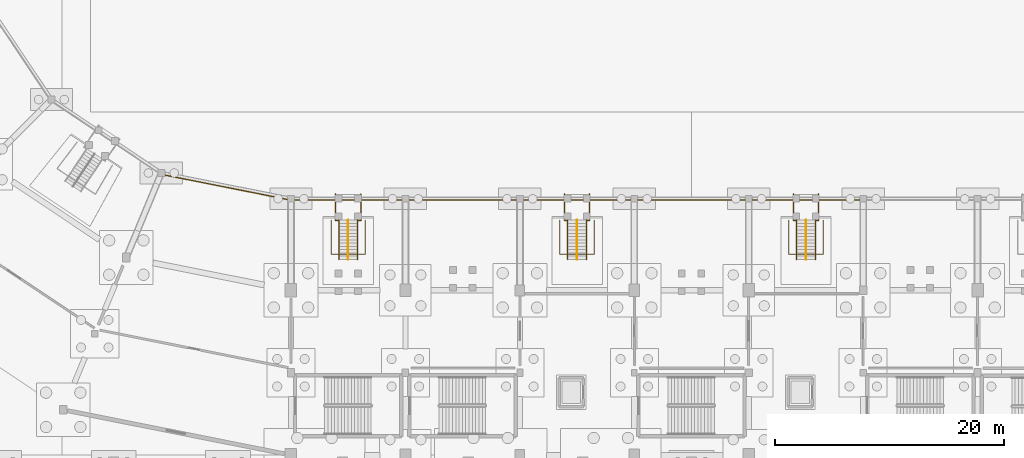
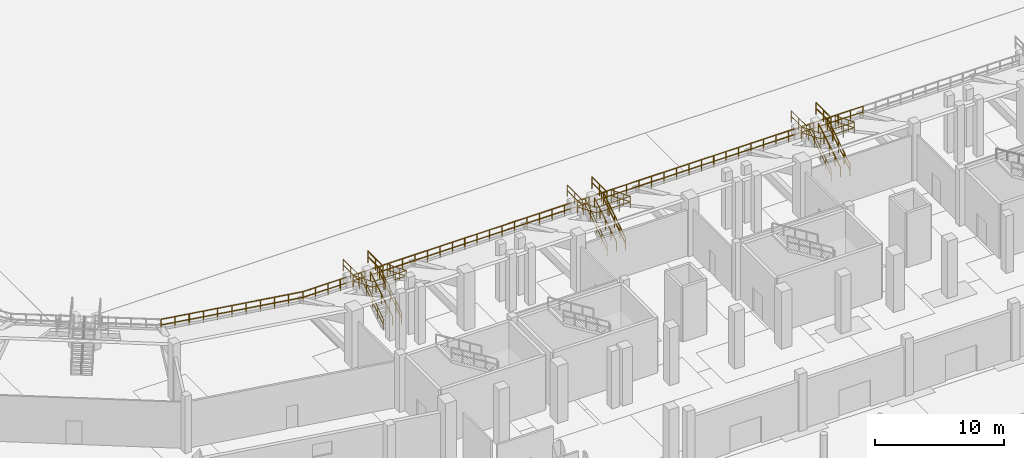
# One storey, part 51 of 68: 18 railings.
"""IFC4 building model written with IfcOpenShell, lengths in metres."""

from ifc_helpers import new_model, si_unit, direction, frame, origin, origin_2d, place, context, subcontext, project, spatial, circle, extrude, material, layer, layer_set, type_object, element, save


model = new_model("IFC4")

# Units and contexts
model_context = context("Model", 3, precision=1e-05, world=origin(), true_north=direction((0.0, 1.0)))
body_context = subcontext(model_context, "Body", "Model", "MODEL_VIEW")
ifc_project = project(units=[si_unit("LENGTHUNIT", "METRE"), si_unit("AREAUNIT", "SQUARE_METRE"), si_unit("VOLUMEUNIT", "CUBIC_METRE"), si_unit("PLANEANGLEUNIT", "RADIAN"), si_unit("MASSUNIT", "GRAM", prefix="KILO")], contexts=[model_context])

# Site, building, storey
site_placement = place(None, origin())
site = spatial("IfcSite", under=ifc_project, at=site_placement, CompositionType="ELEMENT")
building_placement = place(site_placement, origin())
building = spatial("IfcBuilding", under=site, at=building_placement, Name="Candeia Ridge Stadium", CompositionType="ELEMENT")
storey_placement = place(building_placement, origin())
storey = spatial("IfcBuildingStorey", under=building, at=storey_placement, Name="L00", CompositionType="ELEMENT", Elevation=0.0)

# Railings
ifc_material_1 = material(Name="Galvanized Powder-Coated Steel", Category="steel")
ifc_layer_1 = layer(ifc_material_1, 0.074951171875, Name="Galvanized Powder-Coated Steel", Category="steel")
ifc_layer_set_1 = layer_set([ifc_layer_1], Name="Galvanized Powder-Coated Steel")
railing_type_1 = type_object("IfcRailingType", Name="Spectator Bowl Front Guardrail 1120", PredefinedType="GUARDRAIL", material=ifc_layer_set_1)
railing_1_placement = place(storey_placement, frame((59.626708984375, 43.542236328125, 0.85009765625)))
element("IfcRailing", 1, at=railing_1_placement, inside=storey, type_object=railing_type_1, Name="Stand T1 front safety guardrail bay 18", PredefinedType="GUARDRAIL", context=body_context, shape_type="SweptSolid", body=[
    extrude(circle(Radius=0.02392578125, at=origin_2d()), frame((0.0, 0.0, 1.09619140625), z_axis=(0.980786620381, -0.19508358537, 0.0), x_axis=(0.19508358537, 0.980786620381, 0.0)), (0.0, 0.0, 1.0), 11.59619140625),
    extrude(circle(Radius=0.02392578125, at=origin_2d()), frame((0.0, 0.0, 0.56005859375), z_axis=(0.980786620381, -0.19508358537, 0.0), x_axis=(0.19508358537, 0.980786620381, 0.0)), (0.0, 0.0, 1.0), 11.59619140625),
    extrude(circle(Radius=0.02099609375, at=origin_2d()), origin(), (0.0, 0.0, 1.0), 1.072021484375),
    extrude(circle(Radius=0.02099609375, at=origin_2d()), frame((1.13720703125, -0.226318359375, 0.0)), (0.0, 0.0, 1.0), 1.072021484375),
    extrude(circle(Radius=0.02099609375, at=origin_2d()), frame((2.274658203125, -0.452392578125, 0.0)), (0.0, 0.0, 1.0), 1.072021484375),
    extrude(circle(Radius=0.02099609375, at=origin_2d()), frame((3.412109375, -0.6787109375, 0.0)), (0.0, 0.0, 1.0), 1.072021484375),
    extrude(circle(Radius=0.02099609375, at=origin_2d()), frame((4.54931640625, -0.90478515625, 0.0)), (0.0, 0.0, 1.0), 1.072021484375),
    extrude(circle(Radius=0.02099609375, at=origin_2d()), frame((5.6865234375, -1.131103515625, 0.0)), (0.0, 0.0, 1.0), 1.072021484375),
    extrude(circle(Radius=0.02099609375, at=origin_2d()), frame((6.823974609375, -1.357421875, 0.0)), (0.0, 0.0, 1.0), 1.072021484375),
    extrude(circle(Radius=0.02099609375, at=origin_2d()), frame((7.961181640625, -1.58349609375, 0.0)), (0.0, 0.0, 1.0), 1.072021484375),
    extrude(circle(Radius=0.02099609375, at=origin_2d()), frame((9.0986328125, -1.809814453125, 0.0)), (0.0, 0.0, 1.0), 1.072021484375),
    extrude(circle(Radius=0.02099609375, at=origin_2d()), frame((10.23583984375, -2.035888671875, 0.0)), (0.0, 0.0, 1.0), 1.072021484375),
    extrude(circle(Radius=0.02099609375, at=origin_2d()), frame((11.373291015625, -2.26220703125, 0.0)), (0.0, 0.0, 1.0), 1.072021484375),
])
for number, where, name in (
    (2, (71.0, 41.280029296875, 0.85009765625), "Stand T1 front safety guardrail bay 19"),
    (3, (81.0, 41.280029296875, 0.85009765625), "Stand T1 front safety guardrail bay 20"),
    (4, (91.0, 41.280029296875, 0.85009765625), "Stand T1 front safety guardrail bay 21"),
    (5, (101.0, 41.280029296875, 0.85009765625), "Stand T1 front safety guardrail bay 22"),
    (6, (111.0, 41.280029296875, 0.85009765625), "Stand T1 front safety guardrail bay 23"),
):
    element("IfcRailing", number, at=place(storey_placement, frame(where)), inside=storey, type_object=railing_type_1, Name=name, PredefinedType="GUARDRAIL", context=body_context, shape_type="SweptSolid", body=[
        extrude(circle(Radius=0.02392578125, at=origin_2d()), frame((0.0, 0.0, 1.09619140625), z_axis=(1.0, 0.0, 0.0), x_axis=(0.0, 1.0, 0.0)), (0.0, 0.0, 1.0), 10.0),
        extrude(circle(Radius=0.02392578125, at=origin_2d()), frame((0.0, 0.0, 0.56005859375), z_axis=(1.0, 0.0, 0.0), x_axis=(0.0, 1.0, 0.0)), (0.0, 0.0, 1.0), 10.0),
        extrude(circle(Radius=0.02099609375, at=origin_2d()), origin(), (0.0, 0.0, 1.0), 1.072021484375),
        extrude(circle(Radius=0.02099609375, at=origin_2d()), frame((1.111083984375, 0.0, 0.0)), (0.0, 0.0, 1.0), 1.072021484375),
        extrude(circle(Radius=0.02099609375, at=origin_2d()), frame((2.22216796875, 0.0, 0.0)), (0.0, 0.0, 1.0), 1.072021484375),
        extrude(circle(Radius=0.02099609375, at=origin_2d()), frame((3.333251953125, 0.0, 0.0)), (0.0, 0.0, 1.0), 1.072021484375),
        extrude(circle(Radius=0.02099609375, at=origin_2d()), frame((4.4443359375, 0.0, 0.0)), (0.0, 0.0, 1.0), 1.072021484375),
        extrude(circle(Radius=0.02099609375, at=origin_2d()), frame((5.5556640625, 0.0, 0.0)), (0.0, 0.0, 1.0), 1.072021484375),
        extrude(circle(Radius=0.02099609375, at=origin_2d()), frame((6.666748046875, 0.0, 0.0)), (0.0, 0.0, 1.0), 1.072021484375),
        extrude(circle(Radius=0.02099609375, at=origin_2d()), frame((7.77783203125, 0.0, 0.0)), (0.0, 0.0, 1.0), 1.072021484375),
        extrude(circle(Radius=0.02099609375, at=origin_2d()), frame((8.888916015625, 0.0, 0.0)), (0.0, 0.0, 1.0), 1.072021484375),
        extrude(circle(Radius=0.02099609375, at=origin_2d()), frame((10.0, 0.0, 0.0)), (0.0, 0.0, 1.0), 1.072021484375),
    ])
ifc_material_2 = material(Name="Brushed Stainless Steel", Category="steel")
ifc_layer_2 = layer(ifc_material_2, 0.048095703125, Name="Brushed Stainless Steel", Category="steel")
ifc_layer_set_2 = layer_set([ifc_layer_2], Name="Brushed Stainless Steel")
railing_type_2 = type_object("IfcRailingType", Name="Stair Wall & Flight Handrail 900", PredefinedType="HANDRAIL", material=ifc_layer_set_2)
for number, where, name in (
    (7, (76.0, 36.10791015625, 0.17236328125), "Vomitory stair handrail VS10"),
    (8, (96.0, 36.10791015625, 0.17236328125), "Vomitory stair handrail VS11"),
    (9, (116.0, 36.10791015625, 0.17236328125), "Vomitory stair handrail VS12"),
):
    element("IfcRailing", number, at=place(storey_placement, frame(where)), inside=storey, type_object=railing_type_2, Name=name, PredefinedType="HANDRAIL", context=body_context, shape_type="SweptSolid", body=[
        extrude(circle(Radius=0.02392578125, at=origin_2d()), frame((0.0, 0.0, 0.8759765625), z_axis=(0.0, 0.855774125036, 0.517349637014), x_axis=(-1.0, 0.0, 0.0)), (0.0, 0.0, 1.0), 3.99658203125),
        extrude(circle(Radius=0.02099609375, at=origin_2d()), origin(), (0.0, 0.0, 1.0), 0.851806640625),
        extrude(circle(Radius=0.02099609375, at=origin_2d()), frame((0.0, 0.85498046875, 0.516845703125)), (0.0, 0.0, 1.0), 0.851806640625),
        extrude(circle(Radius=0.02099609375, at=origin_2d()), frame((0.0, 1.7099609375, 1.03369140625)), (0.0, 0.0, 1.0), 0.851806640625),
        extrude(circle(Radius=0.02099609375, at=origin_2d()), frame((0.0, 2.565185546875, 1.55078125)), (0.0, 0.0, 1.0), 0.851806640625),
        extrude(circle(Radius=0.02099609375, at=origin_2d()), frame((0.0, 3.420166015625, 2.067626953125)), (0.0, 0.0, 1.0), 0.851806640625),
    ])
ifc_layer_3 = layer(ifc_material_1, 0.070068359375, Name="Galvanized Powder-Coated Steel", Category="steel")
ifc_layer_set_3 = layer_set([ifc_layer_3], Name="Galvanized Powder-Coated Steel")
railing_type_3 = type_object("IfcRailingType", Name="Vomitory Portal Guardrail 1100", PredefinedType="GUARDRAIL", material=ifc_layer_set_3)
railing_2_placement = place(storey_placement, frame((74.5, 39.528076171875, 2.239990234375)))
element("IfcRailing", 10, at=railing_2_placement, inside=storey, type_object=railing_type_3, Name="Vomitory portal guardrail VS10", PredefinedType="GUARDRAIL", context=body_context, shape_type="SweptSolid", body=[
    extrude(circle(Radius=0.02392578125, at=origin_2d()), frame((0.0, 0.0, 1.076171875), z_axis=(0.0, -0.92538053309, 0.379039402937), x_axis=(1.0, 0.0, 0.0)), (0.0, 0.0, 1.0), 3.203125),
    extrude(circle(Radius=0.02392578125, at=origin_2d()), frame((0.0, 0.0, 0.550048828125), z_axis=(0.0, -0.92538053309, 0.379039402937), x_axis=(1.0, 0.0, 0.0)), (0.0, 0.0, 1.0), 3.203125),
    extrude(circle(Radius=0.02392578125, at=origin_2d()), frame((0.0, -2.964111328125, 2.2900390625), z_axis=(1.0, 0.0, 0.0), x_axis=(0.0, 1.0, 0.0)), (0.0, 0.0, 1.0), 3.0),
    extrude(circle(Radius=0.02392578125, at=origin_2d()), frame((0.0, -2.964111328125, 1.76416015625), z_axis=(1.0, 0.0, 0.0), x_axis=(0.0, 1.0, 0.0)), (0.0, 0.0, 1.0), 3.0),
    extrude(circle(Radius=0.02392578125, at=origin_2d()), frame((3.0, -2.964111328125, 2.2900390625), z_axis=(0.0, 0.92538053309, -0.379039402937), x_axis=(-1.0, 0.0, 0.0)), (0.0, 0.0, 1.0), 3.203125),
    extrude(circle(Radius=0.02392578125, at=origin_2d()), frame((3.0, -2.964111328125, 1.76416015625), z_axis=(0.0, 0.92538053309, -0.379039402937), x_axis=(-1.0, 0.0, 0.0)), (0.0, 0.0, 1.0), 3.203125),
    extrude(circle(Radius=0.02099609375, at=origin_2d()), origin(), (0.0, 0.0, 1.0), 1.052001953125),
    extrude(circle(Radius=0.02099609375, at=origin_2d()), frame((0.0, -0.988037109375, 0.40478515625)), (0.0, 0.0, 1.0), 1.052001953125),
    extrude(circle(Radius=0.02099609375, at=origin_2d()), frame((0.0, -1.97607421875, 0.809326171875)), (0.0, 0.0, 1.0), 1.052001953125),
    extrude(circle(Radius=0.02099609375, at=origin_2d()), frame((0.0, -2.964111328125, 1.214111328125)), (0.0, 0.0, 1.0), 1.052001953125),
    extrude(circle(Radius=0.02099609375, at=origin_2d()), frame((1.0, -2.964111328125, 1.214111328125)), (0.0, 0.0, 1.0), 1.052001953125),
    extrude(circle(Radius=0.02099609375, at=origin_2d()), frame((2.0, -2.964111328125, 1.214111328125)), (0.0, 0.0, 1.0), 1.052001953125),
    extrude(circle(Radius=0.02099609375, at=origin_2d()), frame((3.0, -2.964111328125, 1.214111328125)), (0.0, 0.0, 1.0), 1.052001953125),
    extrude(circle(Radius=0.02099609375, at=origin_2d()), frame((3.0, -1.97607421875, 0.809326171875)), (0.0, 0.0, 1.0), 1.052001953125),
    extrude(circle(Radius=0.02099609375, at=origin_2d()), frame((3.0, -0.988037109375, 0.40478515625)), (0.0, 0.0, 1.0), 1.052001953125),
    extrude(circle(Radius=0.02099609375, at=origin_2d()), frame((3.0, 0.0, 0.0)), (0.0, 0.0, 1.0), 1.052001953125),
])
railing_3_placement = place(storey_placement, frame((75.179931640625, 36.10791015625, 0.0)))
element("IfcRailing", 11, at=railing_3_placement, inside=storey, type_object=railing_type_3, Name="Vomitory stair & landing side guardrail VS10-L", PredefinedType="GUARDRAIL", context=body_context, shape_type="SweptSolid", body=[
    extrude(circle(Radius=0.02392578125, at=origin_2d()), frame((0.0, 0.0, 1.076171875), z_axis=(0.0, 0.836551734384, 0.547887940822), x_axis=(-1.0, 0.0, 0.0)), (0.0, 0.0, 1.0), 4.08837890625),
    extrude(circle(Radius=0.02392578125, at=origin_2d()), frame((0.0, 0.0, 0.550048828125), z_axis=(0.0, 0.836551734384, 0.547887940822), x_axis=(-1.0, 0.0, 0.0)), (0.0, 0.0, 1.0), 4.08837890625),
    extrude(circle(Radius=0.02392578125, at=origin_2d()), frame((0.0, 3.420166015625, 3.31591796875), z_axis=(-0.989932225045, -0.141542183877, 0.0), x_axis=(0.141542183877, -0.989932225045, 0.0)), (0.0, 0.0, 1.0), 0.282958984375),
    extrude(circle(Radius=0.02392578125, at=origin_2d()), frame((0.0, 3.420166015625, 2.7900390625), z_axis=(-0.989932225045, -0.141542183877, 0.0), x_axis=(0.141542183877, -0.989932225045, 0.0)), (0.0, 0.0, 1.0), 0.282958984375),
    extrude(circle(Radius=0.02392578125, at=origin_2d()), frame((-0.280029296875, 3.380126953125, 3.31591796875), z_axis=(0.0, 1.0, 0.0), x_axis=(-1.0, 0.0, 0.0)), (0.0, 0.0, 1.0), 2.320068359375),
    extrude(circle(Radius=0.02392578125, at=origin_2d()), frame((-0.280029296875, 3.380126953125, 2.7900390625), z_axis=(0.0, 1.0, 0.0), x_axis=(-1.0, 0.0, 0.0)), (0.0, 0.0, 1.0), 2.320068359375),
    extrude(circle(Radius=0.02099609375, at=origin_2d()), origin(), (0.0, 0.0, 1.0), 1.052001953125),
    extrude(circle(Radius=0.02099609375, at=origin_2d()), frame((0.0, 0.85498046875, 0.56005859375)), (0.0, 0.0, 1.0), 1.052001953125),
    extrude(circle(Radius=0.02099609375, at=origin_2d()), frame((0.0, 1.7099609375, 1.1201171875)), (0.0, 0.0, 1.0), 1.052001953125),
    extrude(circle(Radius=0.02099609375, at=origin_2d()), frame((0.0, 2.565185546875, 1.679931640625)), (0.0, 0.0, 1.0), 1.052001953125),
    extrude(circle(Radius=0.02099609375, at=origin_2d()), frame((0.0, 3.420166015625, 2.239990234375)), (0.0, 0.0, 1.0), 1.052001953125),
    extrude(circle(Radius=0.02099609375, at=origin_2d()), frame((-0.280029296875, 3.380126953125, 2.239990234375)), (0.0, 0.0, 1.0), 1.052001953125),
    extrude(circle(Radius=0.02099609375, at=origin_2d()), frame((-0.280029296875, 4.5400390625, 2.239990234375)), (0.0, 0.0, 1.0), 1.052001953125),
    extrude(circle(Radius=0.02099609375, at=origin_2d()), frame((-0.280029296875, 5.7001953125, 2.239990234375)), (0.0, 0.0, 1.0), 1.052001953125),
])
railing_4_placement = place(storey_placement, frame((76.820068359375, 36.10791015625, 0.0)))
element("IfcRailing", 12, at=railing_4_placement, inside=storey, type_object=railing_type_3, Name="Vomitory stair & landing side guardrail VS10-R", PredefinedType="GUARDRAIL", context=body_context, shape_type="SweptSolid", body=[
    extrude(circle(Radius=0.02392578125, at=origin_2d()), frame((0.0, 0.0, 1.076171875), z_axis=(0.0, 0.836551734384, 0.547887940822), x_axis=(-1.0, 0.0, 0.0)), (0.0, 0.0, 1.0), 4.08837890625),
    extrude(circle(Radius=0.02392578125, at=origin_2d()), frame((0.0, 0.0, 0.550048828125), z_axis=(0.0, 0.836551734384, 0.547887940822), x_axis=(-1.0, 0.0, 0.0)), (0.0, 0.0, 1.0), 4.08837890625),
    extrude(circle(Radius=0.02392578125, at=origin_2d()), frame((0.0, 3.420166015625, 3.31591796875), z_axis=(0.989932225045, -0.141542183877, 0.0), x_axis=(0.141542183877, 0.989932225045, 0.0)), (0.0, 0.0, 1.0), 0.282958984375),
    extrude(circle(Radius=0.02392578125, at=origin_2d()), frame((0.0, 3.420166015625, 2.7900390625), z_axis=(0.989932225045, -0.141542183877, 0.0), x_axis=(0.141542183877, 0.989932225045, 0.0)), (0.0, 0.0, 1.0), 0.282958984375),
    extrude(circle(Radius=0.02392578125, at=origin_2d()), frame((0.280029296875, 3.380126953125, 3.31591796875), z_axis=(0.0, 1.0, 0.0), x_axis=(-1.0, 0.0, 0.0)), (0.0, 0.0, 1.0), 2.320068359375),
    extrude(circle(Radius=0.02392578125, at=origin_2d()), frame((0.280029296875, 3.380126953125, 2.7900390625), z_axis=(0.0, 1.0, 0.0), x_axis=(-1.0, 0.0, 0.0)), (0.0, 0.0, 1.0), 2.320068359375),
    extrude(circle(Radius=0.02099609375, at=origin_2d()), origin(), (0.0, 0.0, 1.0), 1.052001953125),
    extrude(circle(Radius=0.02099609375, at=origin_2d()), frame((0.0, 0.85498046875, 0.56005859375)), (0.0, 0.0, 1.0), 1.052001953125),
    extrude(circle(Radius=0.02099609375, at=origin_2d()), frame((0.0, 1.7099609375, 1.1201171875)), (0.0, 0.0, 1.0), 1.052001953125),
    extrude(circle(Radius=0.02099609375, at=origin_2d()), frame((0.0, 2.565185546875, 1.679931640625)), (0.0, 0.0, 1.0), 1.052001953125),
    extrude(circle(Radius=0.02099609375, at=origin_2d()), frame((0.0, 3.420166015625, 2.239990234375)), (0.0, 0.0, 1.0), 1.052001953125),
    extrude(circle(Radius=0.02099609375, at=origin_2d()), frame((0.280029296875, 3.380126953125, 2.239990234375)), (0.0, 0.0, 1.0), 1.052001953125),
    extrude(circle(Radius=0.02099609375, at=origin_2d()), frame((0.280029296875, 4.5400390625, 2.239990234375)), (0.0, 0.0, 1.0), 1.052001953125),
    extrude(circle(Radius=0.02099609375, at=origin_2d()), frame((0.280029296875, 5.7001953125, 2.239990234375)), (0.0, 0.0, 1.0), 1.052001953125),
])
railing_5_placement = place(storey_placement, frame((94.5, 39.528076171875, 2.239990234375)))
element("IfcRailing", 13, at=railing_5_placement, inside=storey, type_object=railing_type_3, Name="Vomitory portal guardrail VS11", PredefinedType="GUARDRAIL", context=body_context, shape_type="SweptSolid", body=[
    extrude(circle(Radius=0.02392578125, at=origin_2d()), frame((0.0, 0.0, 1.076171875), z_axis=(0.0, -0.92538053309, 0.379039402937), x_axis=(1.0, 0.0, 0.0)), (0.0, 0.0, 1.0), 3.203125),
    extrude(circle(Radius=0.02392578125, at=origin_2d()), frame((0.0, 0.0, 0.550048828125), z_axis=(0.0, -0.92538053309, 0.379039402937), x_axis=(1.0, 0.0, 0.0)), (0.0, 0.0, 1.0), 3.203125),
    extrude(circle(Radius=0.02392578125, at=origin_2d()), frame((0.0, -2.964111328125, 2.2900390625), z_axis=(1.0, 0.0, 0.0), x_axis=(0.0, 1.0, 0.0)), (0.0, 0.0, 1.0), 3.0),
    extrude(circle(Radius=0.02392578125, at=origin_2d()), frame((0.0, -2.964111328125, 1.76416015625), z_axis=(1.0, 0.0, 0.0), x_axis=(0.0, 1.0, 0.0)), (0.0, 0.0, 1.0), 3.0),
    extrude(circle(Radius=0.02392578125, at=origin_2d()), frame((3.0, -2.964111328125, 2.2900390625), z_axis=(0.0, 0.92538053309, -0.379039402937), x_axis=(-1.0, 0.0, 0.0)), (0.0, 0.0, 1.0), 3.203125),
    extrude(circle(Radius=0.02392578125, at=origin_2d()), frame((3.0, -2.964111328125, 1.76416015625), z_axis=(0.0, 0.92538053309, -0.379039402937), x_axis=(-1.0, 0.0, 0.0)), (0.0, 0.0, 1.0), 3.203125),
    extrude(circle(Radius=0.02099609375, at=origin_2d()), origin(), (0.0, 0.0, 1.0), 1.052001953125),
    extrude(circle(Radius=0.02099609375, at=origin_2d()), frame((0.0, -0.988037109375, 0.40478515625)), (0.0, 0.0, 1.0), 1.052001953125),
    extrude(circle(Radius=0.02099609375, at=origin_2d()), frame((0.0, -1.97607421875, 0.809326171875)), (0.0, 0.0, 1.0), 1.052001953125),
    extrude(circle(Radius=0.02099609375, at=origin_2d()), frame((0.0, -2.964111328125, 1.214111328125)), (0.0, 0.0, 1.0), 1.052001953125),
    extrude(circle(Radius=0.02099609375, at=origin_2d()), frame((1.0, -2.964111328125, 1.214111328125)), (0.0, 0.0, 1.0), 1.052001953125),
    extrude(circle(Radius=0.02099609375, at=origin_2d()), frame((2.0, -2.964111328125, 1.214111328125)), (0.0, 0.0, 1.0), 1.052001953125),
    extrude(circle(Radius=0.02099609375, at=origin_2d()), frame((3.0, -2.964111328125, 1.214111328125)), (0.0, 0.0, 1.0), 1.052001953125),
    extrude(circle(Radius=0.02099609375, at=origin_2d()), frame((3.0, -1.97607421875, 0.809326171875)), (0.0, 0.0, 1.0), 1.052001953125),
    extrude(circle(Radius=0.02099609375, at=origin_2d()), frame((3.0, -0.988037109375, 0.40478515625)), (0.0, 0.0, 1.0), 1.052001953125),
    extrude(circle(Radius=0.02099609375, at=origin_2d()), frame((3.0, 0.0, 0.0)), (0.0, 0.0, 1.0), 1.052001953125),
])
railing_6_placement = place(storey_placement, frame((95.179931640625, 36.10791015625, 0.0)))
element("IfcRailing", 14, at=railing_6_placement, inside=storey, type_object=railing_type_3, Name="Vomitory stair & landing side guardrail VS11-L", PredefinedType="GUARDRAIL", context=body_context, shape_type="SweptSolid", body=[
    extrude(circle(Radius=0.02392578125, at=origin_2d()), frame((0.0, 0.0, 1.076171875), z_axis=(0.0, 0.836551734384, 0.547887940822), x_axis=(-1.0, 0.0, 0.0)), (0.0, 0.0, 1.0), 4.08837890625),
    extrude(circle(Radius=0.02392578125, at=origin_2d()), frame((0.0, 0.0, 0.550048828125), z_axis=(0.0, 0.836551734384, 0.547887940822), x_axis=(-1.0, 0.0, 0.0)), (0.0, 0.0, 1.0), 4.08837890625),
    extrude(circle(Radius=0.02392578125, at=origin_2d()), frame((0.0, 3.420166015625, 3.31591796875), z_axis=(-0.989932225045, -0.141542183877, 0.0), x_axis=(0.141542183877, -0.989932225045, 0.0)), (0.0, 0.0, 1.0), 0.282958984375),
    extrude(circle(Radius=0.02392578125, at=origin_2d()), frame((0.0, 3.420166015625, 2.7900390625), z_axis=(-0.989932225045, -0.141542183877, 0.0), x_axis=(0.141542183877, -0.989932225045, 0.0)), (0.0, 0.0, 1.0), 0.282958984375),
    extrude(circle(Radius=0.02392578125, at=origin_2d()), frame((-0.280029296875, 3.380126953125, 3.31591796875), z_axis=(0.0, 1.0, 0.0), x_axis=(-1.0, 0.0, 0.0)), (0.0, 0.0, 1.0), 2.320068359375),
    extrude(circle(Radius=0.02392578125, at=origin_2d()), frame((-0.280029296875, 3.380126953125, 2.7900390625), z_axis=(0.0, 1.0, 0.0), x_axis=(-1.0, 0.0, 0.0)), (0.0, 0.0, 1.0), 2.320068359375),
    extrude(circle(Radius=0.02099609375, at=origin_2d()), origin(), (0.0, 0.0, 1.0), 1.052001953125),
    extrude(circle(Radius=0.02099609375, at=origin_2d()), frame((0.0, 0.85498046875, 0.56005859375)), (0.0, 0.0, 1.0), 1.052001953125),
    extrude(circle(Radius=0.02099609375, at=origin_2d()), frame((0.0, 1.7099609375, 1.1201171875)), (0.0, 0.0, 1.0), 1.052001953125),
    extrude(circle(Radius=0.02099609375, at=origin_2d()), frame((0.0, 2.565185546875, 1.679931640625)), (0.0, 0.0, 1.0), 1.052001953125),
    extrude(circle(Radius=0.02099609375, at=origin_2d()), frame((0.0, 3.420166015625, 2.239990234375)), (0.0, 0.0, 1.0), 1.052001953125),
    extrude(circle(Radius=0.02099609375, at=origin_2d()), frame((-0.280029296875, 3.380126953125, 2.239990234375)), (0.0, 0.0, 1.0), 1.052001953125),
    extrude(circle(Radius=0.02099609375, at=origin_2d()), frame((-0.280029296875, 4.5400390625, 2.239990234375)), (0.0, 0.0, 1.0), 1.052001953125),
    extrude(circle(Radius=0.02099609375, at=origin_2d()), frame((-0.280029296875, 5.7001953125, 2.239990234375)), (0.0, 0.0, 1.0), 1.052001953125),
])
railing_7_placement = place(storey_placement, frame((96.820068359375, 36.10791015625, 0.0)))
element("IfcRailing", 15, at=railing_7_placement, inside=storey, type_object=railing_type_3, Name="Vomitory stair & landing side guardrail VS11-R", PredefinedType="GUARDRAIL", context=body_context, shape_type="SweptSolid", body=[
    extrude(circle(Radius=0.02392578125, at=origin_2d()), frame((0.0, 0.0, 1.076171875), z_axis=(0.0, 0.836551734384, 0.547887940822), x_axis=(-1.0, 0.0, 0.0)), (0.0, 0.0, 1.0), 4.08837890625),
    extrude(circle(Radius=0.02392578125, at=origin_2d()), frame((0.0, 0.0, 0.550048828125), z_axis=(0.0, 0.836551734384, 0.547887940822), x_axis=(-1.0, 0.0, 0.0)), (0.0, 0.0, 1.0), 4.08837890625),
    extrude(circle(Radius=0.02392578125, at=origin_2d()), frame((0.0, 3.420166015625, 3.31591796875), z_axis=(0.989932225045, -0.141542183877, 0.0), x_axis=(0.141542183877, 0.989932225045, 0.0)), (0.0, 0.0, 1.0), 0.282958984375),
    extrude(circle(Radius=0.02392578125, at=origin_2d()), frame((0.0, 3.420166015625, 2.7900390625), z_axis=(0.989932225045, -0.141542183877, 0.0), x_axis=(0.141542183877, 0.989932225045, 0.0)), (0.0, 0.0, 1.0), 0.282958984375),
    extrude(circle(Radius=0.02392578125, at=origin_2d()), frame((0.280029296875, 3.380126953125, 3.31591796875), z_axis=(0.0, 1.0, 0.0), x_axis=(-1.0, 0.0, 0.0)), (0.0, 0.0, 1.0), 2.320068359375),
    extrude(circle(Radius=0.02392578125, at=origin_2d()), frame((0.280029296875, 3.380126953125, 2.7900390625), z_axis=(0.0, 1.0, 0.0), x_axis=(-1.0, 0.0, 0.0)), (0.0, 0.0, 1.0), 2.320068359375),
    extrude(circle(Radius=0.02099609375, at=origin_2d()), origin(), (0.0, 0.0, 1.0), 1.052001953125),
    extrude(circle(Radius=0.02099609375, at=origin_2d()), frame((0.0, 0.85498046875, 0.56005859375)), (0.0, 0.0, 1.0), 1.052001953125),
    extrude(circle(Radius=0.02099609375, at=origin_2d()), frame((0.0, 1.7099609375, 1.1201171875)), (0.0, 0.0, 1.0), 1.052001953125),
    extrude(circle(Radius=0.02099609375, at=origin_2d()), frame((0.0, 2.565185546875, 1.679931640625)), (0.0, 0.0, 1.0), 1.052001953125),
    extrude(circle(Radius=0.02099609375, at=origin_2d()), frame((0.0, 3.420166015625, 2.239990234375)), (0.0, 0.0, 1.0), 1.052001953125),
    extrude(circle(Radius=0.02099609375, at=origin_2d()), frame((0.280029296875, 3.380126953125, 2.239990234375)), (0.0, 0.0, 1.0), 1.052001953125),
    extrude(circle(Radius=0.02099609375, at=origin_2d()), frame((0.280029296875, 4.5400390625, 2.239990234375)), (0.0, 0.0, 1.0), 1.052001953125),
    extrude(circle(Radius=0.02099609375, at=origin_2d()), frame((0.280029296875, 5.7001953125, 2.239990234375)), (0.0, 0.0, 1.0), 1.052001953125),
])
railing_8_placement = place(storey_placement, frame((114.5, 39.528076171875, 2.239990234375)))
element("IfcRailing", 16, at=railing_8_placement, inside=storey, type_object=railing_type_3, Name="Vomitory portal guardrail VS12", PredefinedType="GUARDRAIL", context=body_context, shape_type="SweptSolid", body=[
    extrude(circle(Radius=0.02392578125, at=origin_2d()), frame((0.0, 0.0, 1.076171875), z_axis=(0.0, -0.92538053309, 0.379039402937), x_axis=(1.0, 0.0, 0.0)), (0.0, 0.0, 1.0), 3.203125),
    extrude(circle(Radius=0.02392578125, at=origin_2d()), frame((0.0, 0.0, 0.550048828125), z_axis=(0.0, -0.92538053309, 0.379039402937), x_axis=(1.0, 0.0, 0.0)), (0.0, 0.0, 1.0), 3.203125),
    extrude(circle(Radius=0.02392578125, at=origin_2d()), frame((0.0, -2.964111328125, 2.2900390625), z_axis=(1.0, 0.0, 0.0), x_axis=(0.0, 1.0, 0.0)), (0.0, 0.0, 1.0), 3.0),
    extrude(circle(Radius=0.02392578125, at=origin_2d()), frame((0.0, -2.964111328125, 1.76416015625), z_axis=(1.0, 0.0, 0.0), x_axis=(0.0, 1.0, 0.0)), (0.0, 0.0, 1.0), 3.0),
    extrude(circle(Radius=0.02392578125, at=origin_2d()), frame((3.0, -2.964111328125, 2.2900390625), z_axis=(0.0, 0.92538053309, -0.379039402937), x_axis=(-1.0, 0.0, 0.0)), (0.0, 0.0, 1.0), 3.203125),
    extrude(circle(Radius=0.02392578125, at=origin_2d()), frame((3.0, -2.964111328125, 1.76416015625), z_axis=(0.0, 0.92538053309, -0.379039402937), x_axis=(-1.0, 0.0, 0.0)), (0.0, 0.0, 1.0), 3.203125),
    extrude(circle(Radius=0.02099609375, at=origin_2d()), origin(), (0.0, 0.0, 1.0), 1.052001953125),
    extrude(circle(Radius=0.02099609375, at=origin_2d()), frame((0.0, -0.988037109375, 0.40478515625)), (0.0, 0.0, 1.0), 1.052001953125),
    extrude(circle(Radius=0.02099609375, at=origin_2d()), frame((0.0, -1.97607421875, 0.809326171875)), (0.0, 0.0, 1.0), 1.052001953125),
    extrude(circle(Radius=0.02099609375, at=origin_2d()), frame((0.0, -2.964111328125, 1.214111328125)), (0.0, 0.0, 1.0), 1.052001953125),
    extrude(circle(Radius=0.02099609375, at=origin_2d()), frame((1.0, -2.964111328125, 1.214111328125)), (0.0, 0.0, 1.0), 1.052001953125),
    extrude(circle(Radius=0.02099609375, at=origin_2d()), frame((2.0, -2.964111328125, 1.214111328125)), (0.0, 0.0, 1.0), 1.052001953125),
    extrude(circle(Radius=0.02099609375, at=origin_2d()), frame((3.0, -2.964111328125, 1.214111328125)), (0.0, 0.0, 1.0), 1.052001953125),
    extrude(circle(Radius=0.02099609375, at=origin_2d()), frame((3.0, -1.97607421875, 0.809326171875)), (0.0, 0.0, 1.0), 1.052001953125),
    extrude(circle(Radius=0.02099609375, at=origin_2d()), frame((3.0, -0.988037109375, 0.40478515625)), (0.0, 0.0, 1.0), 1.052001953125),
    extrude(circle(Radius=0.02099609375, at=origin_2d()), frame((3.0, 0.0, 0.0)), (0.0, 0.0, 1.0), 1.052001953125),
])
railing_9_placement = place(storey_placement, frame((115.179931640625, 36.10791015625, 0.0)))
element("IfcRailing", 17, at=railing_9_placement, inside=storey, type_object=railing_type_3, Name="Vomitory stair & landing side guardrail VS12-L", PredefinedType="GUARDRAIL", context=body_context, shape_type="SweptSolid", body=[
    extrude(circle(Radius=0.02392578125, at=origin_2d()), frame((0.0, 0.0, 1.076171875), z_axis=(0.0, 0.836551734384, 0.547887940822), x_axis=(-1.0, 0.0, 0.0)), (0.0, 0.0, 1.0), 4.08837890625),
    extrude(circle(Radius=0.02392578125, at=origin_2d()), frame((0.0, 0.0, 0.550048828125), z_axis=(0.0, 0.836551734384, 0.547887940822), x_axis=(-1.0, 0.0, 0.0)), (0.0, 0.0, 1.0), 4.08837890625),
    extrude(circle(Radius=0.02392578125, at=origin_2d()), frame((0.0, 3.420166015625, 3.31591796875), z_axis=(-0.989932225045, -0.141542183877, 0.0), x_axis=(0.141542183877, -0.989932225045, 0.0)), (0.0, 0.0, 1.0), 0.282958984375),
    extrude(circle(Radius=0.02392578125, at=origin_2d()), frame((0.0, 3.420166015625, 2.7900390625), z_axis=(-0.989932225045, -0.141542183877, 0.0), x_axis=(0.141542183877, -0.989932225045, 0.0)), (0.0, 0.0, 1.0), 0.282958984375),
    extrude(circle(Radius=0.02392578125, at=origin_2d()), frame((-0.280029296875, 3.380126953125, 3.31591796875), z_axis=(0.0, 1.0, 0.0), x_axis=(-1.0, 0.0, 0.0)), (0.0, 0.0, 1.0), 2.320068359375),
    extrude(circle(Radius=0.02392578125, at=origin_2d()), frame((-0.280029296875, 3.380126953125, 2.7900390625), z_axis=(0.0, 1.0, 0.0), x_axis=(-1.0, 0.0, 0.0)), (0.0, 0.0, 1.0), 2.320068359375),
    extrude(circle(Radius=0.02099609375, at=origin_2d()), origin(), (0.0, 0.0, 1.0), 1.052001953125),
    extrude(circle(Radius=0.02099609375, at=origin_2d()), frame((0.0, 0.85498046875, 0.56005859375)), (0.0, 0.0, 1.0), 1.052001953125),
    extrude(circle(Radius=0.02099609375, at=origin_2d()), frame((0.0, 1.7099609375, 1.1201171875)), (0.0, 0.0, 1.0), 1.052001953125),
    extrude(circle(Radius=0.02099609375, at=origin_2d()), frame((0.0, 2.565185546875, 1.679931640625)), (0.0, 0.0, 1.0), 1.052001953125),
    extrude(circle(Radius=0.02099609375, at=origin_2d()), frame((0.0, 3.420166015625, 2.239990234375)), (0.0, 0.0, 1.0), 1.052001953125),
    extrude(circle(Radius=0.02099609375, at=origin_2d()), frame((-0.280029296875, 3.380126953125, 2.239990234375)), (0.0, 0.0, 1.0), 1.052001953125),
    extrude(circle(Radius=0.02099609375, at=origin_2d()), frame((-0.280029296875, 4.5400390625, 2.239990234375)), (0.0, 0.0, 1.0), 1.052001953125),
    extrude(circle(Radius=0.02099609375, at=origin_2d()), frame((-0.280029296875, 5.7001953125, 2.239990234375)), (0.0, 0.0, 1.0), 1.052001953125),
])
railing_10_placement = place(storey_placement, frame((116.820068359375, 36.10791015625, 0.0)))
element("IfcRailing", 18, at=railing_10_placement, inside=storey, type_object=railing_type_3, Name="Vomitory stair & landing side guardrail VS12-R", PredefinedType="GUARDRAIL", context=body_context, shape_type="SweptSolid", body=[
    extrude(circle(Radius=0.02392578125, at=origin_2d()), frame((0.0, 0.0, 1.076171875), z_axis=(0.0, 0.836551734384, 0.547887940822), x_axis=(-1.0, 0.0, 0.0)), (0.0, 0.0, 1.0), 4.08837890625),
    extrude(circle(Radius=0.02392578125, at=origin_2d()), frame((0.0, 0.0, 0.550048828125), z_axis=(0.0, 0.836551734384, 0.547887940822), x_axis=(-1.0, 0.0, 0.0)), (0.0, 0.0, 1.0), 4.08837890625),
    extrude(circle(Radius=0.02392578125, at=origin_2d()), frame((0.0, 3.420166015625, 3.31591796875), z_axis=(0.989932225045, -0.141542183877, 0.0), x_axis=(0.141542183877, 0.989932225045, 0.0)), (0.0, 0.0, 1.0), 0.282958984375),
    extrude(circle(Radius=0.02392578125, at=origin_2d()), frame((0.0, 3.420166015625, 2.7900390625), z_axis=(0.989932225045, -0.141542183877, 0.0), x_axis=(0.141542183877, 0.989932225045, 0.0)), (0.0, 0.0, 1.0), 0.282958984375),
    extrude(circle(Radius=0.02392578125, at=origin_2d()), frame((0.280029296875, 3.380126953125, 3.31591796875), z_axis=(0.0, 1.0, 0.0), x_axis=(-1.0, 0.0, 0.0)), (0.0, 0.0, 1.0), 2.320068359375),
    extrude(circle(Radius=0.02392578125, at=origin_2d()), frame((0.280029296875, 3.380126953125, 2.7900390625), z_axis=(0.0, 1.0, 0.0), x_axis=(-1.0, 0.0, 0.0)), (0.0, 0.0, 1.0), 2.320068359375),
    extrude(circle(Radius=0.02099609375, at=origin_2d()), origin(), (0.0, 0.0, 1.0), 1.052001953125),
    extrude(circle(Radius=0.02099609375, at=origin_2d()), frame((0.0, 0.85498046875, 0.56005859375)), (0.0, 0.0, 1.0), 1.052001953125),
    extrude(circle(Radius=0.02099609375, at=origin_2d()), frame((0.0, 1.7099609375, 1.1201171875)), (0.0, 0.0, 1.0), 1.052001953125),
    extrude(circle(Radius=0.02099609375, at=origin_2d()), frame((0.0, 2.565185546875, 1.679931640625)), (0.0, 0.0, 1.0), 1.052001953125),
    extrude(circle(Radius=0.02099609375, at=origin_2d()), frame((0.0, 3.420166015625, 2.239990234375)), (0.0, 0.0, 1.0), 1.052001953125),
    extrude(circle(Radius=0.02099609375, at=origin_2d()), frame((0.280029296875, 3.380126953125, 2.239990234375)), (0.0, 0.0, 1.0), 1.052001953125),
    extrude(circle(Radius=0.02099609375, at=origin_2d()), frame((0.280029296875, 4.5400390625, 2.239990234375)), (0.0, 0.0, 1.0), 1.052001953125),
    extrude(circle(Radius=0.02099609375, at=origin_2d()), frame((0.280029296875, 5.7001953125, 2.239990234375)), (0.0, 0.0, 1.0), 1.052001953125),
])

save(model, "model.ifc")
